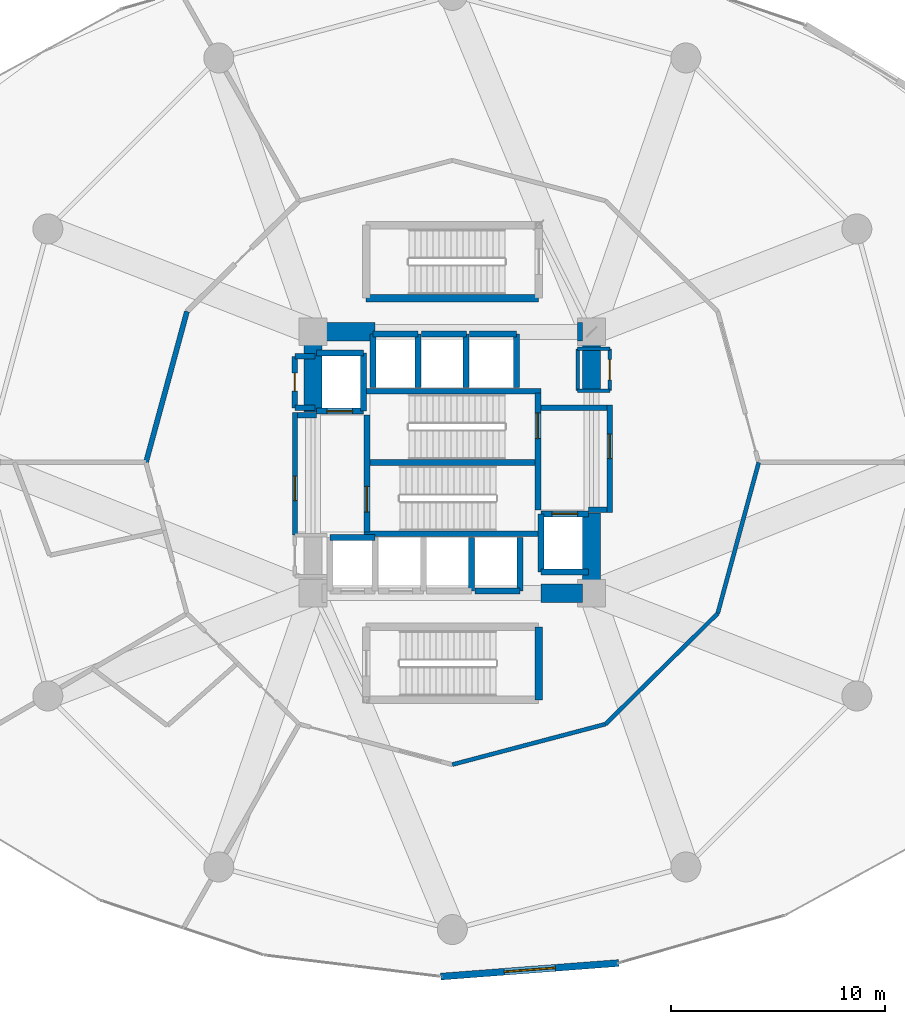
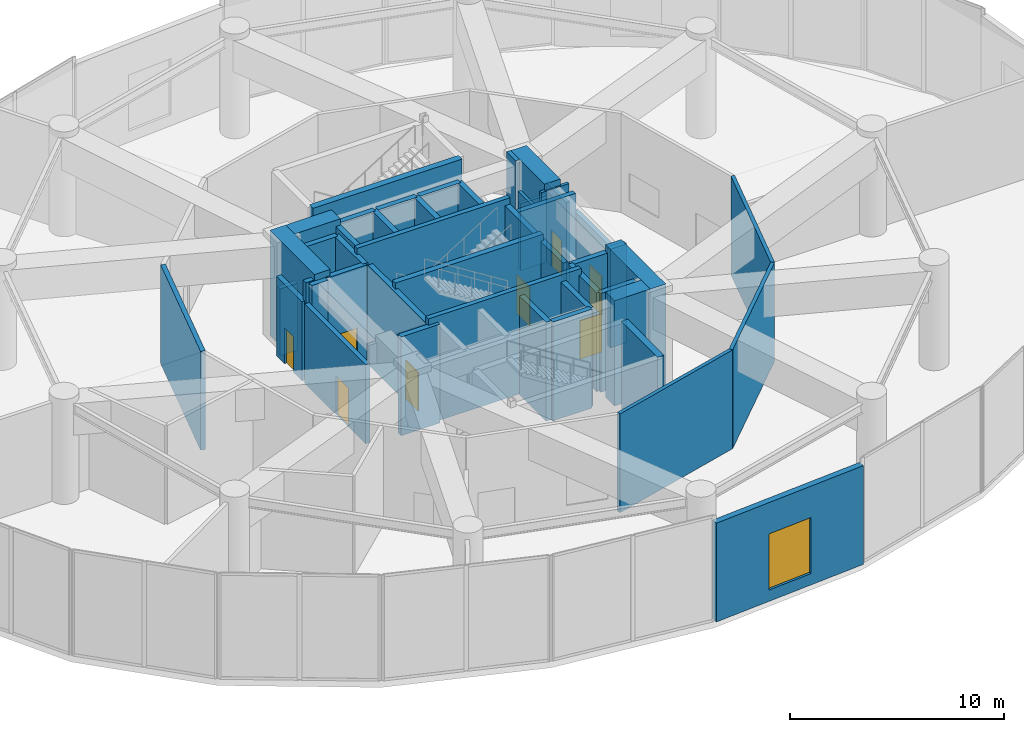
# One storey, part 24 of 28: 47 walls, 8 doors, 1 window, 9 openings.
"""IFC4 building model written with IfcOpenShell, lengths in metres."""

from ifc_helpers import new_model, si_unit, direction, frame, frame_2d, origin, place, context, subcontext, project, spatial, rectangle, extrude, material, layer, layer_set, type_object, element, fill, save


model = new_model("IFC4")

# Units and contexts
model_context = context("Model", 3, precision=1e-05, world=origin(), true_north=direction((0.0, 1.0)))
body_context = subcontext(model_context, "Body", "Model", "MODEL_VIEW")
ifc_project = project(units=[si_unit("LENGTHUNIT", "METRE"), si_unit("AREAUNIT", "SQUARE_METRE"), si_unit("VOLUMEUNIT", "CUBIC_METRE"), si_unit("PLANEANGLEUNIT", "RADIAN"), si_unit("MASSUNIT", "GRAM", prefix="KILO")], contexts=[model_context])

# Site, building, storey
site_placement = place(None, origin())
site = spatial("IfcSite", under=ifc_project, at=site_placement, CompositionType="ELEMENT")
building_placement = place(site_placement, origin())
building = spatial("IfcBuilding", under=site, at=building_placement, Name="Solvirekh Grand Hotel", CompositionType="ELEMENT")
storey_placement = place(building_placement, frame((0.0, 0.0, 12.60009765625)))
storey = spatial("IfcBuildingStorey", under=building, at=storey_placement, Name="L02", CompositionType="ELEMENT", Elevation=12.60009765625)

# Walls
ifc_material_1 = material(Name="Concrete C50/60", Category="concrete")
ifc_layer_1 = layer(ifc_material_1, 0.35009765625)
ifc_layer_set_1 = layer_set([ifc_layer_1], Name="Concrete C50/60")
wall_type_1 = type_object("IfcWallType", Name="CoreDivWall_RC350", PredefinedType="SOLIDWALL", material=ifc_layer_set_1)
for number, where, z_axis, x_axis, name in (
    (1, (-4.1298828125, -3.324951171875, 0.0), (0.0, 0.0, 1.0), (1.0, 0.0, 0.0), "L02 core stair box wall ST-S"),
    (2, (-4.1298828125, 3.324951171875, 0.0), (0.0, 0.0, 1.0), (1.0, 0.0, 0.0), "L02 core stair box wall ST-N"),
):
    element("IfcWall", number, at=place(storey_placement, frame(where, z_axis=z_axis, x_axis=x_axis)), inside=storey, type_object=wall_type_1, Name=name, PredefinedType="SOLIDWALL", context=body_context, shape_type="SweptSolid", body=[
        extrude(rectangle(XDim=8.259765625, YDim=0.25, at=frame_2d((4.1298828125, 0.0))), origin(), (0.0, 0.0, 1.0), 6.0),
    ])
wall_1_placement = place(storey_placement, frame((4.02490234375, -11.074951171875, 0.0), z_axis=(0.0, 0.0, 1.0), x_axis=(0.0, 1.0, 0.0)))
element("IfcWall", 3, at=wall_1_placement, inside=storey, type_object=wall_type_1, Name="L02 podium stair ST-3 E enclosure wall", PredefinedType="SOLIDWALL", context=body_context, shape_type="SweptSolid", body=[
    extrude(rectangle(XDim=3.39990234375, YDim=0.35009765625, at=frame_2d((1.699951171875, 0.0))), origin(), (0.0, 0.0, 1.0), 5.639892578125),
])
wall_2_placement = place(storey_placement, frame((-4.02490234375, 7.675048828125, 0.0), z_axis=(0.0, 0.0, 1.0), x_axis=(1.0, 0.0, 0.0)))
element("IfcWall", 4, at=wall_2_placement, inside=storey, type_object=wall_type_1, Name="L02 feature stair ST-4 S enclosure wall", PredefinedType="SOLIDWALL", context=body_context, shape_type="SweptSolid", body=[
    extrude(rectangle(XDim=8.0498046875, YDim=0.35009765625, at=frame_2d((4.02490234375, 0.0))), origin(), (0.0, 0.0, 1.0), 5.639892578125),
])
ifc_material_2 = material(Name="Concrete C40/50", Category="concrete")
ifc_layer_2 = layer(ifc_material_2, 0.280029296875)
ifc_layer_set_2 = layer_set([ifc_layer_2], Name="Concrete C40/50")
wall_type_2 = type_object("IfcWallType", Name="CoreShaftWall_RC280", PredefinedType="SOLIDWALL", material=ifc_layer_set_2)
wall_3_placement = place(storey_placement, frame((-3.60009765625, -3.5, 0.0), z_axis=(0.0, 0.0, 1.0), x_axis=(-1.0, 0.0, 0.0)))
element("IfcWall", 5, at=wall_3_placement, inside=storey, type_object=wall_type_2, Name="L02 LP-1 hoistway N wall", PredefinedType="SOLIDWALL", context=body_context, shape_type="SweptSolid", body=[
    extrude(rectangle(XDim=2.099853515625, YDim=0.280029296875, at=frame_2d((1.0498046875, 0.0))), origin(), (0.0, 0.0, 1.0), 5.639892578125),
])
wall_4_placement = place(storey_placement, frame((0.89990234375, -6.0, 0.0), z_axis=(0.0, 0.0, 1.0), x_axis=(0.0, 1.0, 0.0)))
element("IfcWall", 6, at=wall_4_placement, inside=storey, type_object=wall_type_2, Name="L02 MP-1 hoistway E wall", PredefinedType="SOLIDWALL", context=body_context, shape_type="SweptSolid", body=[
    extrude(rectangle(XDim=2.5, YDim=0.280029296875, at=frame_2d((1.25, 0.0))), origin(), (0.0, 0.0, 1.0), 5.639892578125),
])
wall_5_placement = place(storey_placement, frame((1.050048828125, -6.0, 0.0), z_axis=(0.0, 0.0, 1.0), x_axis=(1.0, 0.0, 0.0)))
element("IfcWall", 7, at=wall_5_placement, inside=storey, type_object=wall_type_2, Name="L02 MP-2 hoistway S wall", PredefinedType="SOLIDWALL", context=body_context, shape_type="SweptSolid", body=[
    extrude(rectangle(XDim=2.099853515625, YDim=0.280029296875, at=frame_2d((1.0498046875, 0.0))), origin(), (0.0, 0.0, 1.0), 5.639892578125),
])
wall_6_placement = place(storey_placement, frame((3.14990234375, -6.0, 0.0), z_axis=(0.0, 0.0, 1.0), x_axis=(0.0, 1.0, 0.0)))
element("IfcWall", 8, at=wall_6_placement, inside=storey, type_object=wall_type_2, Name="L02 MP-2 hoistway E wall", PredefinedType="SOLIDWALL", context=body_context, shape_type="SweptSolid", body=[
    extrude(rectangle(XDim=2.5, YDim=0.280029296875, at=frame_2d((1.25, 0.0))), origin(), (0.0, 0.0, 1.0), 5.639892578125),
])
wall_7_placement = place(storey_placement, frame((-1.60009765625, 6.0, 0.0), z_axis=(0.0, 0.0, 1.0), x_axis=(-1.0, 0.0, 0.0)))
element("IfcWall", 9, at=wall_7_placement, inside=storey, type_object=wall_type_2, Name="L02 HP-1 hoistway N wall", PredefinedType="SOLIDWALL", context=body_context, shape_type="SweptSolid", body=[
    extrude(rectangle(XDim=2.099853515625, YDim=0.280029296875, at=frame_2d((1.0498046875, 0.0))), origin(), (0.0, 0.0, 1.0), 5.639892578125),
])
for number, where, z_axis, x_axis, name in (
    (10, (-3.699951171875, 6.0, 0.0), (0.0, 0.0, 1.0), (0.0, -1.0, 0.0), "L02 HP-1 hoistway W wall"),
    (11, (-1.60009765625, 3.5, 0.0), (0.0, 0.0, 1.0), (0.0, 1.0, 0.0), "L02 HP-1 hoistway E wall"),
):
    element("IfcWall", number, at=place(storey_placement, frame(where, z_axis=z_axis, x_axis=x_axis)), inside=storey, type_object=wall_type_2, Name=name, PredefinedType="SOLIDWALL", context=body_context, shape_type="SweptSolid", body=[
        extrude(rectangle(XDim=2.5, YDim=0.280029296875, at=frame_2d((1.25, 0.0))), origin(), (0.0, 0.0, 1.0), 5.639892578125),
    ])
wall_8_placement = place(storey_placement, frame((0.64990234375, 6.0, 0.0), z_axis=(0.0, 0.0, 1.0), x_axis=(-1.0, 0.0, 0.0)))
element("IfcWall", 12, at=wall_8_placement, inside=storey, type_object=wall_type_2, Name="L02 HP-2 hoistway N wall", PredefinedType="SOLIDWALL", context=body_context, shape_type="SweptSolid", body=[
    extrude(rectangle(XDim=2.099853515625, YDim=0.280029296875, at=frame_2d((1.0498046875, 0.0))), origin(), (0.0, 0.0, 1.0), 5.639892578125),
])
wall_9_placement = place(storey_placement, frame((0.64990234375, 3.5, 0.0), z_axis=(0.0, 0.0, 1.0), x_axis=(0.0, 1.0, 0.0)))
element("IfcWall", 13, at=wall_9_placement, inside=storey, type_object=wall_type_2, Name="L02 HP-2 hoistway E wall", PredefinedType="SOLIDWALL", context=body_context, shape_type="SweptSolid", body=[
    extrude(rectangle(XDim=2.5, YDim=0.280029296875, at=frame_2d((1.25, 0.0))), origin(), (0.0, 0.0, 1.0), 5.639892578125),
])
wall_10_placement = place(storey_placement, frame((3.0, 6.0, 0.0), z_axis=(0.0, 0.0, 1.0), x_axis=(-1.0, 0.0, 0.0)))
element("IfcWall", 14, at=wall_10_placement, inside=storey, type_object=wall_type_2, Name="L02 EX-1 hoistway N wall", PredefinedType="SOLIDWALL", context=body_context, shape_type="SweptSolid", body=[
    extrude(rectangle(XDim=2.199951171875, YDim=0.280029296875, at=frame_2d((1.10009765625, 0.0))), origin(), (0.0, 0.0, 1.0), 5.639892578125),
])
wall_11_placement = place(storey_placement, frame((3.0, 3.5, 0.0), z_axis=(0.0, 0.0, 1.0), x_axis=(0.0, 1.0, 0.0)))
element("IfcWall", 15, at=wall_11_placement, inside=storey, type_object=wall_type_2, Name="L02 EX-1 hoistway E wall", PredefinedType="SOLIDWALL", context=body_context, shape_type="SweptSolid", body=[
    extrude(rectangle(XDim=2.5, YDim=0.280029296875, at=frame_2d((1.25, 0.0))), origin(), (0.0, 0.0, 1.0), 5.639892578125),
])

# Wall, opening, door
wall_12_placement = place(storey_placement, frame((-6.35009765625, 2.39990234375, 0.0), z_axis=(0.0, 0.0, 1.0), x_axis=(1.0, 0.0, 0.0)))
wall_12 = element("IfcWall", 16, at=wall_12_placement, inside=storey, type_object=wall_type_2, Name="L02 FL-1 hoistway S wall", PredefinedType="SOLIDWALL", context=body_context, shape_type="SweptSolid", body=[
    extrude(rectangle(XDim=2.2001953125, YDim=0.280029296875, at=frame_2d((1.10009765625, 0.0))), origin(), (0.0, 0.0, 1.0), 5.639892578125),
])
opening_1_placement = place(wall_12_placement, frame((0.5, 0.0, 0.0)))
opening_1 = element("IfcOpeningElement", 17, at=opening_1_placement, cuts=wall_12, Name="Opening LD02", PredefinedType="OPENING", context=body_context, shape_type="SweptSolid", body=[
    extrude(rectangle(XDim=1.199951171875, YDim=2.199951171875, at=frame_2d((0.60009765625, 1.10009765625))), frame((0.0, 0.14990234375, 0.0), z_axis=(0.0, -1.0, 0.0), x_axis=(1.0, 0.0, 0.0)), (0.0, 0.0, 1.0), 0.300048828125),
])
ifc_material_3 = material(Name="Fire-Rated Steel Door Assembly", Category="steel")
door_type_1 = type_object("IfcDoorType", Name="Door_LiftFF_1200X2200", OperationType="SLIDING_TO_LEFT", PredefinedType="DOOR", material=ifc_material_3)
door_1_placement = place(opening_1_placement, origin())
door_1 = element("IfcDoor", 18, at=door_1_placement, inside=storey, type_object=door_type_1, Name="L02 FL-1 sliding lift landing door", OperationType="SLIDING_TO_LEFT", OverallHeight=2.199951171875, OverallWidth=1.199951171875, PredefinedType="DOOR", context=body_context, shape_type="SweptSolid", body=[
    extrude(rectangle(XDim=1.199951171875, YDim=2.199951171875, at=frame_2d((0.60009765625, 1.10009765625))), frame((0.0, 0.02490234375, 0.0), z_axis=(0.0, -1.0, 0.0), x_axis=(1.0, 0.0, 0.0)), (0.0, 0.0, 1.0), 0.050048828125),
])
fill(opening_1, door_1)

# Walls
wall_13_placement = place(storey_placement, frame((-4.14990234375, 5.10009765625, 0.0), z_axis=(0.0, 0.0, 1.0), x_axis=(-1.0, 0.0, 0.0)))
element("IfcWall", 19, at=wall_13_placement, inside=storey, type_object=wall_type_2, Name="L02 FL-1 hoistway N wall", PredefinedType="SOLIDWALL", context=body_context, shape_type="SweptSolid", body=[
    extrude(rectangle(XDim=2.2001953125, YDim=0.280029296875, at=frame_2d((1.10009765625, 0.0))), origin(), (0.0, 0.0, 1.0), 5.639892578125),
])
wall_14_placement = place(storey_placement, frame((-4.14990234375, 2.39990234375, 0.0), z_axis=(0.0, 0.0, 1.0), x_axis=(0.0, 1.0, 0.0)))
element("IfcWall", 20, at=wall_14_placement, inside=storey, type_object=wall_type_2, Name="L02 FL-1 hoistway E wall", PredefinedType="SOLIDWALL", context=body_context, shape_type="SweptSolid", body=[
    extrude(rectangle(XDim=2.7001953125, YDim=0.280029296875, at=frame_2d((1.35009765625, 0.0))), origin(), (0.0, 0.0, 1.0), 5.639892578125),
])
wall_15_placement = place(storey_placement, frame((4.14990234375, -5.10009765625, 0.0), z_axis=(0.0, 0.0, 1.0), x_axis=(1.0, 0.0, 0.0)))
element("IfcWall", 21, at=wall_15_placement, inside=storey, type_object=wall_type_2, Name="L02 FL-2 hoistway S wall", PredefinedType="SOLIDWALL", context=body_context, shape_type="SweptSolid", body=[
    extrude(rectangle(XDim=2.2001953125, YDim=0.280029296875, at=frame_2d((1.10009765625, 0.0))), origin(), (0.0, 0.0, 1.0), 5.639892578125),
])

# Wall, opening, door
wall_16_placement = place(storey_placement, frame((6.35009765625, -2.39990234375, 0.0), z_axis=(0.0, 0.0, 1.0), x_axis=(-1.0, 0.0, 0.0)))
wall_16 = element("IfcWall", 22, at=wall_16_placement, inside=storey, type_object=wall_type_2, Name="L02 FL-2 hoistway N wall", PredefinedType="SOLIDWALL", context=body_context, shape_type="SweptSolid", body=[
    extrude(rectangle(XDim=2.2001953125, YDim=0.280029296875, at=frame_2d((1.10009765625, 0.0))), origin(), (0.0, 0.0, 1.0), 5.639892578125),
])
opening_2_placement = place(wall_16_placement, frame((0.5, 0.0, 0.0)))
opening_2 = element("IfcOpeningElement", 23, at=opening_2_placement, cuts=wall_16, Name="Opening LD02", PredefinedType="OPENING", context=body_context, shape_type="SweptSolid", body=[
    extrude(rectangle(XDim=1.199951171875, YDim=2.199951171875, at=frame_2d((0.60009765625, 1.10009765625))), frame((0.0, 0.14990234375, 0.0), z_axis=(0.0, -1.0, 0.0), x_axis=(1.0, 0.0, 0.0)), (0.0, 0.0, 1.0), 0.300048828125),
])
door_2_placement = place(opening_2_placement, origin())
door_2 = element("IfcDoor", 24, at=door_2_placement, inside=storey, type_object=door_type_1, Name="L02 FL-2 sliding lift landing door", OperationType="SLIDING_TO_LEFT", OverallHeight=2.199951171875, OverallWidth=1.199951171875, PredefinedType="DOOR", context=body_context, shape_type="SweptSolid", body=[
    extrude(rectangle(XDim=1.199951171875, YDim=2.199951171875, at=frame_2d((0.60009765625, 1.10009765625))), frame((0.0, 0.02490234375, 0.0), z_axis=(0.0, -1.0, 0.0), x_axis=(1.0, 0.0, 0.0)), (0.0, 0.0, 1.0), 0.050048828125),
])
fill(opening_2, door_2)

# Wall
wall_17_placement = place(storey_placement, frame((4.14990234375, -2.39990234375, 0.0), z_axis=(0.0, 0.0, 1.0), x_axis=(0.0, -1.0, 0.0)))
element("IfcWall", 25, at=wall_17_placement, inside=storey, type_object=wall_type_2, Name="L02 FL-2 hoistway W wall", PredefinedType="SOLIDWALL", context=body_context, shape_type="SweptSolid", body=[
    extrude(rectangle(XDim=2.7001953125, YDim=0.280029296875, at=frame_2d((1.35009765625, 0.0))), origin(), (0.0, 0.0, 1.0), 5.639892578125),
])

# Wall, opening, door
wall_18_placement = place(storey_placement, frame((-3.989990234375, -3.25, 0.0), z_axis=(0.0, 0.0, 1.0), x_axis=(0.0, 1.0, 0.0)))
wall_18 = element("IfcWall", 26, at=wall_18_placement, inside=storey, type_object=wall_type_2, Name="L02 west stair landing enclosure wall", PredefinedType="SOLIDWALL", context=body_context, shape_type="SweptSolid", body=[
    extrude(rectangle(XDim=5.4599609375, YDim=0.280029296875, at=frame_2d((2.72998046875, 0.0))), origin(), (0.0, 0.0, 1.0), 5.639892578125),
])
opening_3_placement = place(wall_18_placement, frame((0.93701171875, 0.0, 0.0)))
opening_3 = element("IfcOpeningElement", 27, at=opening_3_placement, cuts=wall_18, Name="Opening D05", PredefinedType="OPENING", context=body_context, shape_type="SweptSolid", body=[
    extrude(rectangle(XDim=1.199951171875, YDim=2.199951171875, at=frame_2d((0.60009765625, 1.10009765625))), frame((0.0, 0.14990234375, 0.0), z_axis=(0.0, -1.0, 0.0), x_axis=(1.0, 0.0, 0.0)), (0.0, 0.0, 1.0), 0.300048828125),
])
door_type_2 = type_object("IfcDoorType", Name="Door_StairCore_1200X2200", OperationType="NOTDEFINED", PredefinedType="DOOR", material=ifc_material_3)
door_3_placement = place(opening_3_placement, origin())
door_3 = element("IfcDoor", 28, at=door_3_placement, inside=storey, type_object=door_type_2, Name="L02 exit stair ST-1 fire door", OperationType="SINGLE_SWING_RIGHT", OverallHeight=2.199951171875, OverallWidth=1.199951171875, PredefinedType="DOOR", context=body_context, shape_type="SweptSolid", body=[
    extrude(rectangle(XDim=1.199951171875, YDim=2.199951171875, at=frame_2d((0.60009765625, 1.10009765625))), frame((0.0, 0.02490234375, 0.0), z_axis=(0.0, -1.0, 0.0), x_axis=(1.0, 0.0, 0.0)), (0.0, 0.0, 1.0), 0.050048828125),
])
fill(opening_3, door_3)

wall_19_placement = place(storey_placement, frame((3.989990234375, -2.2099609375, 0.0), z_axis=(0.0, 0.0, 1.0), x_axis=(0.0, 1.0, 0.0)))
wall_19 = element("IfcWall", 29, at=wall_19_placement, inside=storey, type_object=wall_type_2, Name="L02 east stair landing enclosure wall", PredefinedType="SOLIDWALL", context=body_context, shape_type="SweptSolid", body=[
    extrude(rectangle(XDim=5.4599609375, YDim=0.280029296875, at=frame_2d((2.72998046875, 0.0))), origin(), (0.0, 0.0, 1.0), 5.639892578125),
])
opening_4_placement = place(wall_19_placement, frame((3.322998046875, 0.0, 0.0)))
opening_4 = element("IfcOpeningElement", 30, at=opening_4_placement, cuts=wall_19, Name="Opening D05", PredefinedType="OPENING", context=body_context, shape_type="SweptSolid", body=[
    extrude(rectangle(XDim=1.199951171875, YDim=2.199951171875, at=frame_2d((0.60009765625, 1.10009765625))), frame((0.0, 0.14990234375, 0.0), z_axis=(0.0, -1.0, 0.0), x_axis=(1.0, 0.0, 0.0)), (0.0, 0.0, 1.0), 0.300048828125),
])
door_4_placement = place(opening_4_placement, origin())
door_4 = element("IfcDoor", 31, at=door_4_placement, inside=storey, type_object=door_type_2, Name="L02 exit stair ST-2 fire door", OperationType="SINGLE_SWING_LEFT", OverallHeight=2.199951171875, OverallWidth=1.199951171875, PredefinedType="DOOR", context=body_context, shape_type="SweptSolid", body=[
    extrude(rectangle(XDim=1.199951171875, YDim=2.199951171875, at=frame_2d((0.60009765625, 1.10009765625))), frame((0.0, 0.02490234375, 0.0), z_axis=(0.0, -1.0, 0.0), x_axis=(1.0, 0.0, 0.0)), (0.0, 0.0, 1.0), 0.050048828125),
])
fill(opening_4, door_4)

# Walls
ifc_material_4 = material(Name="Concrete C60/75", Category="concrete")
ifc_layer_3 = layer(ifc_material_4, 0.85009765625)
ifc_layer_set_3 = layer_set([ifc_layer_3], Name="Concrete C60/75")
wall_type_3 = type_object("IfcWallType", Name="CoreWall_RC850", PredefinedType="SHEAR", material=ifc_layer_set_3)
wall_20_placement = place(storey_placement, frame((-3.989990234375, 0.0, 0.0), z_axis=(0.0, 0.0, 1.0), x_axis=(1.0, 0.0, 0.0)))
element("IfcWall", 32, at=wall_20_placement, inside=storey, type_object=wall_type_3, Name="L02 central stair-spine shear wall", PredefinedType="SHEAR", context=body_context, shape_type="SweptSolid", body=[
    extrude(rectangle(XDim=7.97998046875, YDim=0.300048828125, at=frame_2d((3.989990234375, 0.0))), origin(), (0.0, 0.0, 1.0), 6.0),
])
wall_21_placement = place(storey_placement, frame((4.14990234375, -6.10009765625, 0.0), z_axis=(0.0, 0.0, 1.0), x_axis=(1.0, 0.0, 0.0)))
element("IfcWall", 33, at=wall_21_placement, inside=storey, type_object=wall_type_3, Name="L02 core corner shear wall SE-S", PredefinedType="SHEAR", context=body_context, shape_type="SweptSolid", body=[
    extrude(rectangle(XDim=1.925048828125, YDim=0.85009765625, at=frame_2d((0.96240234375, 0.0))), origin(), (0.0, 0.0, 1.0), 6.0),
])
wall_22_placement = place(storey_placement, frame((-6.074951171875, 6.10009765625, 0.0), z_axis=(0.0, 0.0, 1.0), x_axis=(1.0, 0.0, 0.0)))
element("IfcWall", 34, at=wall_22_placement, inside=storey, type_object=wall_type_3, Name="L02 core corner shear wall NW-N", PredefinedType="SHEAR", context=body_context, shape_type="SweptSolid", body=[
    extrude(rectangle(XDim=2.474853515625, YDim=0.85009765625, at=frame_2d((1.2373046875, 0.0))), origin(), (0.0, 0.0, 1.0), 6.0),
])
wall_23_placement = place(storey_placement, frame((5.85009765625, 6.10009765625, 0.0), z_axis=(0.0, 0.0, 1.0), x_axis=(1.0, 0.0, 0.0)))
element("IfcWall", 35, at=wall_23_placement, inside=storey, type_object=wall_type_3, Name="L02 core corner shear wall NE-N", PredefinedType="SHEAR", context=body_context, shape_type="SweptSolid", body=[
    extrude(rectangle(XDim=0.224853515625, YDim=0.85009765625, at=frame_2d((0.1123046875, 0.0))), origin(), (0.0, 0.0, 1.0), 6.0),
])
for number, where, z_axis, x_axis, name in (
    (36, (-6.5, 2.35009765625, 0.0), (0.0, 0.0, 1.0), (0.0, 1.0, 0.0), "L02 core corner shear wall WN-W"),
    (37, (6.5, -6.52490234375, 0.0), (0.0, 0.0, 1.0), (0.0, 1.0, 0.0), "L02 core corner shear wall ES-E"),
):
    element("IfcWall", number, at=place(storey_placement, frame(where, z_axis=z_axis, x_axis=x_axis)), inside=storey, type_object=wall_type_3, Name=name, PredefinedType="SHEAR", context=body_context, shape_type="SweptSolid", body=[
        extrude(rectangle(XDim=4.1748046875, YDim=0.85009765625, at=frame_2d((2.08740234375, 0.0))), origin(), (0.0, 0.0, 1.0), 6.0),
    ])
wall_24_placement = place(storey_placement, frame((6.5, 3.35009765625, 0.0), z_axis=(0.0, 0.0, 1.0), x_axis=(0.0, 1.0, 0.0)))
element("IfcWall", 38, at=wall_24_placement, inside=storey, type_object=wall_type_3, Name="L02 core corner shear wall EN-E", PredefinedType="SHEAR", context=body_context, shape_type="SweptSolid", body=[
    extrude(rectangle(XDim=3.1748046875, YDim=0.85009765625, at=frame_2d((1.58740234375, 0.0))), origin(), (0.0, 0.0, 1.0), 6.0),
])

# Wall, opening, window
ifc_material_5 = material(Name="Precast concrete C45/55", Category="concrete")
ifc_layer_4 = layer(ifc_material_5, 0.320068359375)
ifc_layer_set_4 = layer_set([ifc_layer_4], Name="Precast concrete C45/55")
wall_type_4 = type_object("IfcWallType", Name="ExtLobbyWall_RC320", PredefinedType="SOLIDWALL", material=ifc_layer_set_4)
wall_25_placement = place(storey_placement, frame((7.761962890625, -23.361083984375, 0.0), z_axis=(0.0, 0.0, 1.0), x_axis=(-0.997104660851, -0.076041405229, 0.0)))
wall_25 = element("IfcWall", 39, at=wall_25_placement, inside=storey, type_object=wall_type_4, Name="L02 exterior structural wall chord 19", PredefinedType="SOLIDWALL", context=body_context, shape_type="SweptSolid", body=[
    extrude(rectangle(XDim=8.322021484375, YDim=0.320068359375, at=frame_2d((4.1611328125, 0.0))), origin(), (0.0, 0.0, 1.0), 5.639892578125),
])
opening_5_placement = place(wall_25_placement, frame((2.9609375, 0.0, 0.64990234375)))
opening_5 = element("IfcOpeningElement", 40, at=opening_5_placement, cuts=wall_25, Name="Opening W01", PredefinedType="OPENING", context=body_context, shape_type="SweptSolid", body=[
    extrude(rectangle(XDim=2.39990234375, YDim=3.199951171875, at=frame_2d((1.199951171875, 1.60009765625))), frame((0.0, 0.169921875, 0.0), z_axis=(0.0, -1.0, 0.0), x_axis=(1.0, 0.0, 0.0)), (0.0, 0.0, 1.0), 0.340087890625),
])
ifc_material_6 = material(Name="Low-E Tinted Bronze Laminated Glass", Category="aluminium")
window_type = type_object("IfcWindowType", Name="Win_LobbyExt_2400X3200", PartitioningType="SINGLE_PANEL", PredefinedType="WINDOW", material=ifc_material_6)
window_placement = place(opening_5_placement, origin())
window = element("IfcWindow", 41, at=window_placement, inside=storey, type_object=window_type, Name="L02 panoramic bronze-framed window 19", OverallHeight=3.199951171875, OverallWidth=2.39990234375, PartitioningType="SINGLE_PANEL", PredefinedType="WINDOW", context=body_context, shape_type="SweptSolid", body=[
    extrude(rectangle(XDim=2.39990234375, YDim=3.199951171875, at=frame_2d((1.199951171875, 1.60009765625))), frame((0.0, 0.030029296875, 0.0), z_axis=(0.0, -1.0, 0.0), x_axis=(1.0, 0.0, 0.0)), (0.0, 0.0, 1.0), 0.06005859375),
])
fill(opening_5, window)

# Wall
ifc_material_7 = material(Name="Acoustic Gypsum Partition Assembly")
ifc_layer_5 = layer(ifc_material_7, 0.1650390625)
ifc_layer_set_5 = layer_set([ifc_layer_5], Name="Acoustic Gypsum Partition Assembly")
wall_type_5 = type_object("IfcWallType", Name="Part_BOH_165", PredefinedType="PARTITIONING", material=ifc_layer_set_5)
wall_26_placement = place(storey_placement, frame((5.85009765625, 3.35009765625, 0.0), z_axis=(0.0, 0.0, 1.0), x_axis=(1.0, 0.0, 0.0)))
element("IfcWall", 42, at=wall_26_placement, inside=storey, type_object=wall_type_5, Name="L02 L02 Core Housekeeping Room wall 1", PredefinedType="PARTITIONING", context=body_context, shape_type="SweptSolid", body=[
    extrude(rectangle(XDim=1.5, YDim=0.1650390625, at=frame_2d((0.75, 0.0))), origin(), (0.0, 0.0, 1.0), 5.639892578125),
])

# Wall, opening, door
wall_27_placement = place(storey_placement, frame((7.35009765625, 3.35009765625, 0.0), z_axis=(0.0, 0.0, 1.0), x_axis=(0.0, 1.0, 0.0)))
wall_27 = element("IfcWall", 43, at=wall_27_placement, inside=storey, type_object=wall_type_5, Name="L02 L02 Core Housekeeping Room wall 2", PredefinedType="PARTITIONING", context=body_context, shape_type="SweptSolid", body=[
    extrude(rectangle(XDim=1.949951171875, YDim=0.1650390625, at=frame_2d((0.97509765625, 0.0))), origin(), (0.0, 0.0, 1.0), 4.52490234375),
])
opening_6_placement = place(wall_27_placement, frame((0.5, 0.0, 0.0)))
opening_6 = element("IfcOpeningElement", 44, at=opening_6_placement, cuts=wall_27, Name="Opening D10", PredefinedType="OPENING", context=body_context, shape_type="SweptSolid", body=[
    extrude(rectangle(XDim=0.949951171875, YDim=2.10009765625, at=frame_2d((0.47509765625, 1.050048828125))), frame((0.0, 0.092529296875, 0.0), z_axis=(0.0, -1.0, 0.0), x_axis=(1.0, 0.0, 0.0)), (0.0, 0.0, 1.0), 0.18505859375),
])
ifc_material_8 = material(Name="Anodized Bronze Aluminium 6063-T6", Category="aluminium")
door_type_3 = type_object("IfcDoorType", Name="Door_RoomInt_950X2100", OperationType="NOTDEFINED", PredefinedType="DOOR", material=ifc_material_8)
door_5_placement = place(opening_6_placement, origin())
door_5 = element("IfcDoor", 45, at=door_5_placement, inside=storey, type_object=door_type_3, Name="L02 L02 Core Housekeeping Room door", OperationType="SINGLE_SWING_RIGHT", OverallHeight=2.10009765625, OverallWidth=0.949951171875, PredefinedType="DOOR", context=body_context, shape_type="SweptSolid", body=[
    extrude(rectangle(XDim=0.949951171875, YDim=2.10009765625, at=frame_2d((0.47509765625, 1.050048828125))), frame((0.0, 0.02490234375, 0.0), z_axis=(0.0, -1.0, 0.0), x_axis=(1.0, 0.0, 0.0)), (0.0, 0.0, 1.0), 0.050048828125),
])
fill(opening_6, door_5)

# Walls
wall_28_placement = place(storey_placement, frame((7.35009765625, 5.300048828125, 0.0), z_axis=(0.0, 0.0, 1.0), x_axis=(-1.0, 0.0, 0.0)))
element("IfcWall", 46, at=wall_28_placement, inside=storey, type_object=wall_type_5, Name="L02 L02 Core Housekeeping Room wall 3", PredefinedType="PARTITIONING", context=body_context, shape_type="SweptSolid", body=[
    extrude(rectangle(XDim=1.5, YDim=0.1650390625, at=frame_2d((0.75, 0.0))), origin(), (0.0, 0.0, 1.0), 3.824951171875),
])
wall_29_placement = place(storey_placement, frame((5.85009765625, 5.300048828125, 0.0), z_axis=(0.0, 0.0, 1.0), x_axis=(0.0, -1.0, 0.0)))
element("IfcWall", 47, at=wall_29_placement, inside=storey, type_object=wall_type_5, Name="L02 L02 Core Housekeeping Room wall 4", PredefinedType="PARTITIONING", context=body_context, shape_type="SweptSolid", body=[
    extrude(rectangle(XDim=1.949951171875, YDim=0.1650390625, at=frame_2d((0.97509765625, 0.0))), origin(), (0.0, 0.0, 1.0), 4.52490234375),
])

# Wall, opening, door
ifc_layer_6 = layer(ifc_material_7, 0.239990234375)
ifc_layer_set_6 = layer_set([ifc_layer_6], Name="Acoustic Gypsum Partition Assembly")
wall_type_6 = type_object("IfcWallType", Name="Part_Corridor_240", PredefinedType="PARTITIONING", material=ifc_layer_set_6)
wall_30_placement = place(storey_placement, frame((-7.35009765625, -3.3798828125, 0.0), z_axis=(0.0, 0.0, 1.0), x_axis=(0.0, 1.0, 0.0)))
wall_30 = element("IfcWall", 48, at=wall_30_placement, inside=storey, type_object=wall_type_6, Name="L02 west firefighting lobby smoke screen wall", PredefinedType="PARTITIONING", context=body_context, shape_type="SweptSolid", body=[
    extrude(rectangle(XDim=5.719970703125, YDim=0.239990234375, at=frame_2d((2.85986328125, 0.0))), origin(), (0.0, 0.0, 1.0), 4.52490234375),
])
opening_7_placement = place(wall_30_placement, frame((1.59912109375, 0.0, 0.0)))
opening_7 = element("IfcOpeningElement", 49, at=opening_7_placement, cuts=wall_30, Name="Opening D06", PredefinedType="OPENING", context=body_context, shape_type="SweptSolid", body=[
    extrude(rectangle(XDim=1.14990234375, YDim=2.199951171875, at=frame_2d((0.574951171875, 1.10009765625))), frame((0.0, 0.1298828125, 0.0), z_axis=(0.0, -1.0, 0.0), x_axis=(1.0, 0.0, 0.0)), (0.0, 0.0, 1.0), 0.260009765625),
])
door_type_4 = type_object("IfcDoorType", Name="Door_FFLobby_1150X2200", OperationType="NOTDEFINED", PredefinedType="DOOR", material=ifc_material_3)
door_6_placement = place(opening_7_placement, origin())
door_6 = element("IfcDoor", 50, at=door_6_placement, inside=storey, type_object=door_type_4, Name="L02 west firefighting lobby smoke door", OperationType="SINGLE_SWING_RIGHT", OverallHeight=2.199951171875, OverallWidth=1.14990234375, PredefinedType="DOOR", context=body_context, shape_type="SweptSolid", body=[
    extrude(rectangle(XDim=1.14990234375, YDim=2.199951171875, at=frame_2d((0.574951171875, 1.10009765625))), frame((0.0, 0.02490234375, 0.0), z_axis=(0.0, -1.0, 0.0), x_axis=(1.0, 0.0, 0.0)), (0.0, 0.0, 1.0), 0.050048828125),
])
fill(opening_7, door_6)

wall_31_placement = place(storey_placement, frame((7.35009765625, -2.340087890625, 0.0), z_axis=(0.0, 0.0, 1.0), x_axis=(0.0, 1.0, 0.0)))
wall_31 = element("IfcWall", 51, at=wall_31_placement, inside=storey, type_object=wall_type_6, Name="L02 east firefighting lobby smoke screen wall", PredefinedType="PARTITIONING", context=body_context, shape_type="SweptSolid", body=[
    extrude(rectangle(XDim=5.02001953125, YDim=0.239990234375, at=frame_2d((2.510009765625, 0.0))), origin(), (0.0, 0.0, 1.0), 4.52490234375),
])
opening_8_placement = place(wall_31_placement, frame((2.514892578125, 0.0, 0.0)))
opening_8 = element("IfcOpeningElement", 52, at=opening_8_placement, cuts=wall_31, Name="Opening D06", PredefinedType="OPENING", context=body_context, shape_type="SweptSolid", body=[
    extrude(rectangle(XDim=1.14990234375, YDim=2.199951171875, at=frame_2d((0.574951171875, 1.10009765625))), frame((0.0, 0.1298828125, 0.0), z_axis=(0.0, -1.0, 0.0), x_axis=(1.0, 0.0, 0.0)), (0.0, 0.0, 1.0), 0.260009765625),
])
door_7_placement = place(opening_8_placement, origin())
door_7 = element("IfcDoor", 53, at=door_7_placement, inside=storey, type_object=door_type_4, Name="L02 east firefighting lobby smoke door", OperationType="SINGLE_SWING_LEFT", OverallHeight=2.199951171875, OverallWidth=1.14990234375, PredefinedType="DOOR", context=body_context, shape_type="SweptSolid", body=[
    extrude(rectangle(XDim=1.14990234375, YDim=2.199951171875, at=frame_2d((0.574951171875, 1.10009765625))), frame((0.0, 0.02490234375, 0.0), z_axis=(0.0, -1.0, 0.0), x_axis=(1.0, 0.0, 0.0)), (0.0, 0.0, 1.0), 0.050048828125),
])
fill(opening_8, door_7)

# Walls
wall_32_placement = place(storey_placement, frame((-12.384033203125, 7.050048828125, 0.0), z_axis=(0.0, 0.0, 1.0), x_axis=(-0.262260528785, -0.964997106235, 0.0)))
element("IfcWall", 54, at=wall_32_placement, inside=storey, type_object=wall_type_6, Name="L02 Banquet Plating Kitchen corridor wall 2", PredefinedType="PARTITIONING", context=body_context, shape_type="SweptSolid", body=[
    extrude(rectangle(XDim=7.3056640625, YDim=0.239990234375, at=frame_2d((3.65283203125, 0.0))), origin(), (0.0, 0.0, 1.0), 5.639892578125),
])
ifc_layer_7 = layer(ifc_material_7, 0.18994140625)
ifc_layer_set_7 = layer_set([ifc_layer_7], Name="Acoustic Gypsum Partition Assembly")
wall_type_7 = type_object("IfcWallType", Name="Part_GuestDemise_190", PredefinedType="PARTITIONING", material=ifc_layer_set_7)
wall_33_placement = place(storey_placement, frame((0.0, -14.10009765625, 0.0), z_axis=(0.0, 0.0, 1.0), x_axis=(0.966820901533, 0.255455170937, 0.0)))
element("IfcWall", 55, at=wall_33_placement, inside=storey, type_object=wall_type_7, Name="L02 Grand Ballroom corridor wall 2", PredefinedType="PARTITIONING", context=body_context, shape_type="SweptSolid", body=[
    extrude(rectangle(XDim=7.395263671875, YDim=0.18994140625, at=frame_2d((3.69775390625, 0.0))), origin(), (0.0, 0.0, 1.0), 5.639892578125),
])
wall_34_placement = place(storey_placement, frame((7.14990234375, -12.2109375, 0.0), z_axis=(0.0, 0.0, 1.0), x_axis=(0.712071304345, 0.702107155303, 0.0)))
element("IfcWall", 56, at=wall_34_placement, inside=storey, type_object=wall_type_7, Name="L02 Grand Ballroom corridor wall 3", PredefinedType="PARTITIONING", context=body_context, shape_type="SweptSolid", body=[
    extrude(rectangle(XDim=7.3505859375, YDim=0.18994140625, at=frame_2d((3.67529296875, 0.0))), origin(), (0.0, 0.0, 1.0), 5.639892578125),
])
wall_35_placement = place(storey_placement, frame((12.384033203125, -7.050048828125, 0.0), z_axis=(0.0, 0.0, 1.0), x_axis=(0.262260528785, 0.964997106235, 0.0)))
element("IfcWall", 57, at=wall_35_placement, inside=storey, type_object=wall_type_7, Name="L02 Grand Ballroom corridor wall 4", PredefinedType="PARTITIONING", context=body_context, shape_type="SweptSolid", body=[
    extrude(rectangle(XDim=7.3056640625, YDim=0.18994140625, at=frame_2d((3.65283203125, 0.0))), origin(), (0.0, 0.0, 1.0), 5.639892578125),
])
ifc_layer_8 = layer(ifc_material_7, 0.260009765625)
ifc_layer_set_8 = layer_set([ifc_layer_8], Name="Acoustic Gypsum Partition Assembly")
wall_type_8 = type_object("IfcWallType", Name="Part_LobbyFF_260", PredefinedType="PARTITIONING", material=ifc_layer_set_8)
for number, where, z_axis, x_axis, name in (
    (58, (-7.22509765625, 2.2099609375, 0.0), (0.0, 0.0, 1.0), (1.0, 0.0, 0.0), "L02 west firefighting lobby NW cheek"),
    (59, (6.35009765625, -2.2099609375, 0.0), (0.0, 0.0, 1.0), (1.0, 0.0, 0.0), "L02 east firefighting lobby SE cheek"),
):
    element("IfcWall", number, at=place(storey_placement, frame(where, z_axis=z_axis, x_axis=x_axis)), inside=storey, type_object=wall_type_8, Name=name, PredefinedType="PARTITIONING", context=body_context, shape_type="SweptSolid", body=[
        extrude(rectangle(XDim=0.875, YDim=0.260009765625, at=frame_2d((0.4375, 0.0))), origin(), (0.0, 0.0, 1.0), 5.639892578125),
    ])
wall_36_placement = place(storey_placement, frame((4.1298828125, 2.550048828125, 0.0), z_axis=(0.0, 0.0, 1.0), x_axis=(1.0, 0.0, 0.0)))
element("IfcWall", 60, at=wall_36_placement, inside=storey, type_object=wall_type_8, Name="L02 east firefighting lobby north partition", PredefinedType="PARTITIONING", context=body_context, shape_type="SweptSolid", body=[
    extrude(rectangle(XDim=3.09521484375, YDim=0.260009765625, at=frame_2d((1.547607421875, 0.0))), origin(), (0.0, 0.0, 1.0), 5.639892578125),
])
wall_37_placement = place(storey_placement, frame((-7.35009765625, 4.949951171875, 0.0), z_axis=(0.0, 0.0, 1.0), x_axis=(1.0, 0.0, 0.0)))
element("IfcWall", 61, at=wall_37_placement, inside=storey, type_object=wall_type_8, Name="L02 NW telecom metering cupboard north wall", PredefinedType="PARTITIONING", context=body_context, shape_type="SweptSolid", body=[
    extrude(rectangle(XDim=0.93017578125, YDim=0.260009765625, at=frame_2d((0.465087890625, 0.0))), origin(), (0.0, 0.0, 1.0), 3.824951171875),
])
wall_38_placement = place(storey_placement, frame((-7.35009765625, 2.550048828125, 0.0), z_axis=(0.0, 0.0, 1.0), x_axis=(1.0, 0.0, 0.0)))
element("IfcWall", 62, at=wall_38_placement, inside=storey, type_object=wall_type_8, Name="L02 NW telecom metering cupboard south wall", PredefinedType="PARTITIONING", context=body_context, shape_type="SweptSolid", body=[
    extrude(rectangle(XDim=0.93017578125, YDim=0.260009765625, at=frame_2d((0.465087890625, 0.0))), origin(), (0.0, 0.0, 1.0), 5.639892578125),
])

# Wall, opening, door
wall_39_placement = place(storey_placement, frame((-7.35009765625, 2.550048828125, 0.0), z_axis=(0.0, 0.0, 1.0), x_axis=(0.0, 1.0, 0.0)))
wall_39 = element("IfcWall", 63, at=wall_39_placement, inside=storey, type_object=wall_type_8, Name="L02 NW telecom metering cupboard access wall", PredefinedType="PARTITIONING", context=body_context, shape_type="SweptSolid", body=[
    extrude(rectangle(XDim=2.39990234375, YDim=0.260009765625, at=frame_2d((1.199951171875, 0.0))), origin(), (0.0, 0.0, 1.0), 4.52490234375),
])
opening_9_placement = place(wall_39_placement, frame((0.77490234375, 0.0, 0.0)))
opening_9 = element("IfcOpeningElement", 64, at=opening_9_placement, cuts=wall_39, Name="Opening D13", PredefinedType="OPENING", context=body_context, shape_type="SweptSolid", body=[
    extrude(rectangle(XDim=0.85009765625, YDim=2.050048828125, at=frame_2d((0.425048828125, 1.02490234375))), frame((0.0, 0.14013671875, 0.0), z_axis=(0.0, -1.0, 0.0), x_axis=(1.0, 0.0, 0.0)), (0.0, 0.0, 1.0), 0.280029296875),
])
door_type_5 = type_object("IfcDoorType", Name="Door_RiserShaft_850X2050", OperationType="NOTDEFINED", PredefinedType="DOOR", material=ifc_material_3)
door_8_placement = place(opening_9_placement, origin())
door_8 = element("IfcDoor", 65, at=door_8_placement, inside=storey, type_object=door_type_5, Name="L02 telecom metering cupboard access door", OperationType="SINGLE_SWING_RIGHT", OverallHeight=2.050048828125, OverallWidth=0.85009765625, PredefinedType="DOOR", context=body_context, shape_type="SweptSolid", body=[
    extrude(rectangle(XDim=0.85009765625, YDim=2.050048828125, at=frame_2d((0.425048828125, 1.02490234375))), frame((0.0, 0.02490234375, 0.0), z_axis=(0.0, -1.0, 0.0), x_axis=(1.0, 0.0, 0.0)), (0.0, 0.0, 1.0), 0.050048828125),
])
fill(opening_9, door_8)

save(model, "model.ifc")
